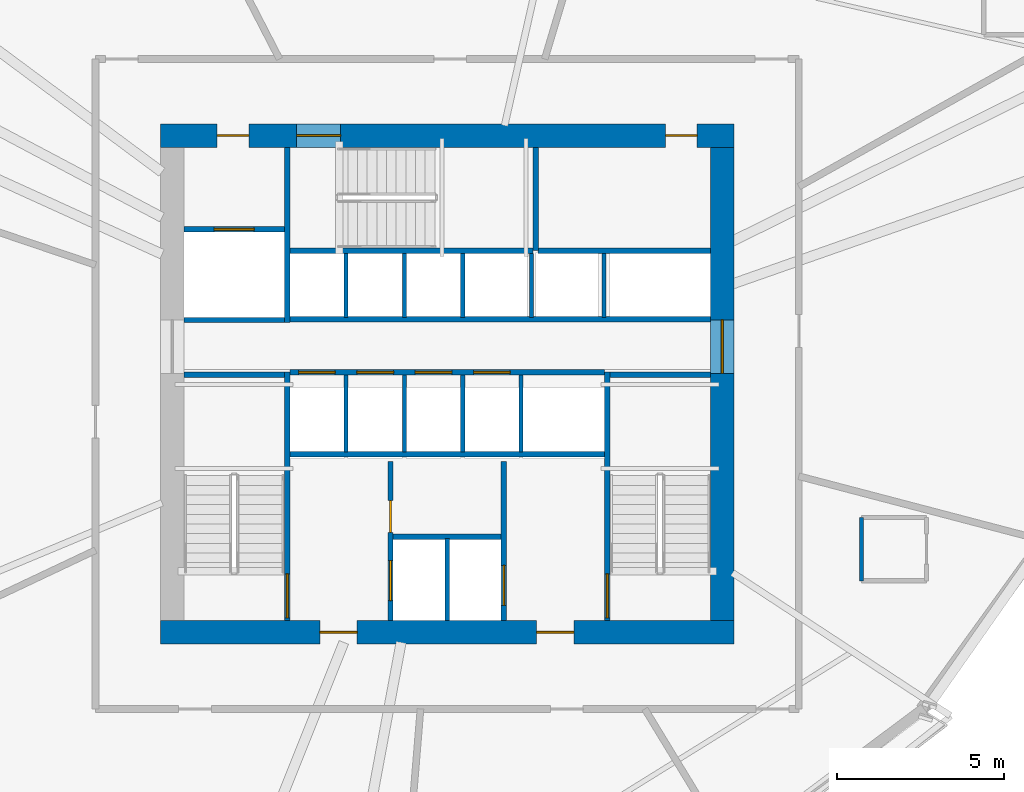
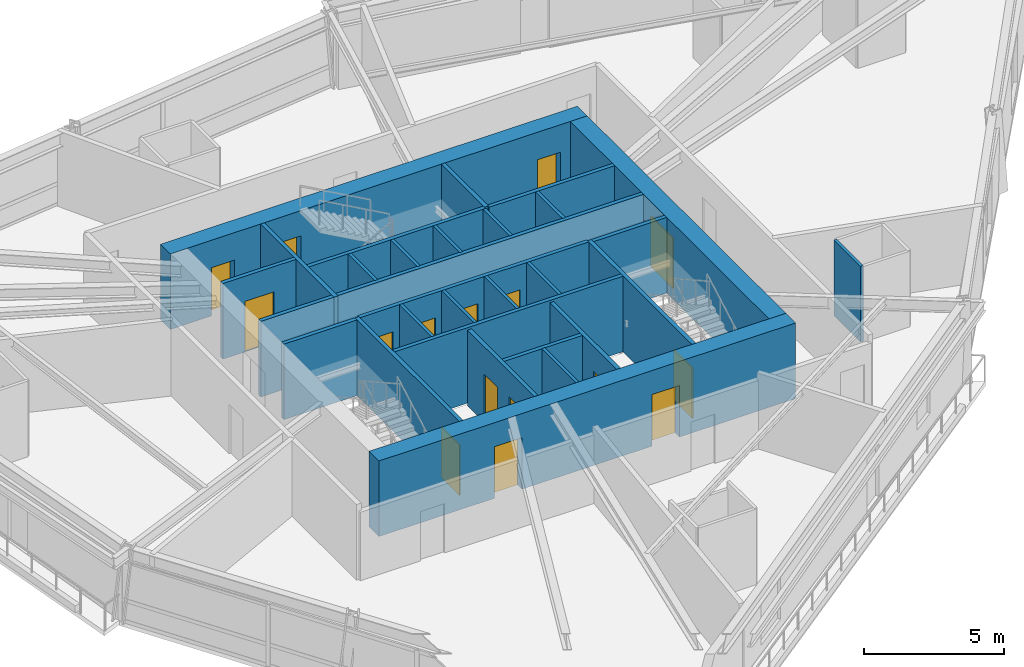
# One storey, part 13 of 18: 30 walls, 16 doors, 16 openings.
"""IFC4 building model written with IfcOpenShell, lengths in metres."""

from ifc_helpers import new_model, si_unit, direction, frame, frame_2d, origin, place, context, subcontext, project, spatial, rectangle, extrude, source, transform, mapped, material, layer, layer_set, type_object, type_shapes, element, fill, save


model = new_model("IFC4")

# Units and contexts
model_context = context("Model", 3, precision=1e-05, world=origin(), true_north=direction((0.0, 1.0)))
body_context = subcontext(model_context, "Body", "Model", "MODEL_VIEW")
ifc_project = project(units=[si_unit("LENGTHUNIT", "METRE"), si_unit("AREAUNIT", "SQUARE_METRE"), si_unit("VOLUMEUNIT", "CUBIC_METRE"), si_unit("PLANEANGLEUNIT", "RADIAN"), si_unit("MASSUNIT", "GRAM", prefix="KILO")], contexts=[model_context])

# Site, building, storey
site_placement = place(None, origin())
site = spatial("IfcSite", under=ifc_project, at=site_placement, CompositionType="ELEMENT")
building_placement = place(site_placement, origin())
building = spatial("IfcBuilding", under=site, at=building_placement, Name="Olszyna Solenne Hotel", CompositionType="ELEMENT")
storey_placement = place(building_placement, frame((0.0, 0.0, 123.449951171875)))
storey = spatial("IfcBuildingStorey", under=building, at=storey_placement, Name="L32", CompositionType="ELEMENT", Elevation=123.449951171875)

# Wall, openings, doors
ifc_material_1 = material(Name="Concrete C60/75", Category="concrete")
ifc_layer_1 = layer(ifc_material_1, 0.699951171875, Name="Concrete C60/75")
ifc_layer_set_1 = layer_set([ifc_layer_1], Name="Concrete C60/75")
wall_type_1 = type_object("IfcWallType", Name="WL-CR700", PredefinedType="SHEAR", material=ifc_layer_set_1)
wall_1_placement = place(storey_placement, frame((46.60009765625, 19.14990234375, 0.0), z_axis=(0.0, 0.0, 1.0), x_axis=(-1.0, 0.0, 0.0)))
wall_1 = element("IfcWall", 1, at=wall_1_placement, inside=storey, type_object=wall_type_1, Name="Core shear wall WL-CR700 CRW-L32-S", PredefinedType="SHEAR", context=body_context, shape_type="SweptSolid", body=[
    extrude(rectangle(XDim=17.2001953125, YDim=0.699951171875, at=frame_2d((8.60009765625, 0.0))), origin(), (0.0, 0.0, 1.0), 3.300048828125),
])
opening_1_placement = place(wall_1_placement, frame((4.800048828125, 0.0, 0.0)))
opening_1 = element("IfcOpeningElement", 2, at=opening_1_placement, cuts=wall_1, Name="Opening FL-L32-1", PredefinedType="OPENING", context=body_context, shape_type="SweptSolid", body=[
    extrude(rectangle(XDim=1.1201171875, YDim=2.25, at=frame_2d((0.56005859375, 1.125))), frame((0.0, 0.35986328125, 0.0), z_axis=(0.0, -1.0, 0.0), x_axis=(1.0, 0.0, 0.0)), (0.0, 0.0, 1.0), 0.719970703125),
])
opening_2_placement = place(wall_1_placement, frame((11.300048828125, 0.0, 0.0)))
opening_2 = element("IfcOpeningElement", 3, at=opening_2_placement, cuts=wall_1, Name="Opening FL-L32-2", PredefinedType="OPENING", context=body_context, shape_type="SweptSolid", body=[
    extrude(rectangle(XDim=1.1201171875, YDim=2.25, at=frame_2d((0.56005859375, 1.125))), frame((0.0, 0.35986328125, 0.0), z_axis=(0.0, -1.0, 0.0), x_axis=(1.0, 0.0, 0.0)), (0.0, 0.0, 1.0), 0.719970703125),
])
ifc_material_2 = material(Name="Steel S355J2", Category="steel")
door_type_1 = type_object("IfcDoorType", Name="DR-FL1", OperationType="NOTDEFINED", PredefinedType="DOOR", material=ifc_material_2)
shared_shape_1 = source(origin(), body_context, "Body", "SweptSolid", [
    extrude(rectangle(XDim=1.1201171875, YDim=2.25, at=frame_2d((0.56005859375, 1.125))), frame((0.0, 0.02490234375, 0.0), z_axis=(0.0, -1.0, 0.0), x_axis=(1.0, 0.0, 0.0)), (0.0, 0.0, 1.0), 0.050048828125),
])
type_shapes(door_type_1, [shared_shape_1])
door_1_placement = place(opening_1_placement, origin())
door_1 = element("IfcDoor", 4, at=door_1_placement, inside=storey, type_object=door_type_1, Name="Firefighting lift lobby smoke door FL-L32-1", OperationType="SINGLE_SWING_LEFT", OverallHeight=2.25, OverallWidth=1.1201171875, PredefinedType="DOOR", context=body_context, shape_type="MappedRepresentation", body=[
    mapped(shared_shape_1, transform((0.0, 0.0, 0.0), x_axis=(1.0, 0.0, 0.0), y_axis=(0.0, 1.0, 0.0), z_axis=(0.0, 0.0, 1.0), scale=1.0)),
])
fill(opening_1, door_1)
door_2_placement = place(opening_2_placement, origin())
door_2 = element("IfcDoor", 5, at=door_2_placement, inside=storey, type_object=door_type_1, Name="Firefighting lift lobby smoke door FL-L32-2", OperationType="SINGLE_SWING_RIGHT", OverallHeight=2.25, OverallWidth=1.1201171875, PredefinedType="DOOR", context=body_context, shape_type="MappedRepresentation", body=[
    mapped(shared_shape_1, transform((0.0, 0.0, 0.0), x_axis=(1.0, 0.0, 0.0), y_axis=(0.0, 1.0, 0.0), z_axis=(0.0, 0.0, 1.0), scale=1.0)),
])
fill(opening_2, door_2)

wall_2_placement = place(storey_placement, frame((29.39990234375, 34.050048828125, 0.0), z_axis=(0.0, 0.0, 1.0), x_axis=(1.0, 0.0, 0.0)))
wall_2 = element("IfcWall", 6, at=wall_2_placement, inside=storey, type_object=wall_type_1, Name="Core shear wall WL-CR700 CRW-L32-N", PredefinedType="SHEAR", context=body_context, shape_type="SweptSolid", body=[
    extrude(rectangle(XDim=17.2001953125, YDim=0.699951171875, at=frame_2d((8.60009765625, 0.0))), origin(), (0.0, 0.0, 1.0), 3.300048828125),
])
opening_3_placement = place(wall_2_placement, frame((1.699951171875, 0.0, 0.0)))
opening_3 = element("IfcOpeningElement", 7, at=opening_3_placement, cuts=wall_2, Name="Opening SVD-L32-01", PredefinedType="OPENING", context=body_context, shape_type="SweptSolid", body=[
    extrude(rectangle(XDim=0.949951171875, YDim=2.10009765625, at=frame_2d((0.47509765625, 1.050048828125))), frame((0.0, 0.35986328125, 0.0), z_axis=(0.0, -1.0, 0.0), x_axis=(1.0, 0.0, 0.0)), (0.0, 0.0, 1.0), 0.719970703125),
])
opening_4_placement = place(wall_2_placement, frame((4.080078125, 0.0, 0.0)))
opening_4 = element("IfcOpeningElement", 8, at=opening_4_placement, cuts=wall_2, Name="Opening STD-L32-03", PredefinedType="OPENING", context=body_context, shape_type="SweptSolid", body=[
    extrude(rectangle(XDim=1.320068359375, YDim=2.199951171875, at=frame_2d((0.66015625, 1.10009765625))), frame((0.0, 0.35986328125, 0.0), z_axis=(0.0, -1.0, 0.0), x_axis=(1.0, 0.0, 0.0)), (0.0, 0.0, 1.0), 0.719970703125),
])
opening_5_placement = place(wall_2_placement, frame((15.14990234375, 0.0, 0.0)))
opening_5 = element("IfcOpeningElement", 9, at=opening_5_placement, cuts=wall_2, Name="Opening SVD-L32-BN", PredefinedType="OPENING", context=body_context, shape_type="SweptSolid", body=[
    extrude(rectangle(XDim=0.949951171875, YDim=2.10009765625, at=frame_2d((0.47509765625, 1.050048828125))), frame((0.0, 0.35986328125, 0.0), z_axis=(0.0, -1.0, 0.0), x_axis=(1.0, 0.0, 0.0)), (0.0, 0.0, 1.0), 0.719970703125),
])
door_type_2 = type_object("IfcDoorType", Name="DR-ST1", OperationType="NOTDEFINED", PredefinedType="DOOR", material=ifc_material_2)
shared_shape_2 = source(origin(), body_context, "Body", "SweptSolid", [
    extrude(rectangle(XDim=1.320068359375, YDim=2.199951171875, at=frame_2d((0.66015625, 1.10009765625))), frame((0.0, 0.02490234375, 0.0), z_axis=(0.0, -1.0, 0.0), x_axis=(1.0, 0.0, 0.0)), (0.0, 0.0, 1.0), 0.050048828125),
])
type_shapes(door_type_2, [shared_shape_2])
door_3_placement = place(opening_4_placement, origin())
door_3 = element("IfcDoor", 10, at=door_3_placement, inside=storey, type_object=door_type_2, Name="Pressurised exit stair ST3 fire door STD-L32-03", OperationType="SINGLE_SWING_RIGHT", OverallHeight=2.199951171875, OverallWidth=1.320068359375, PredefinedType="DOOR", context=body_context, shape_type="MappedRepresentation", body=[
    mapped(shared_shape_2, transform((0.0, 0.0, 0.0), x_axis=(1.0, 0.0, 0.0), y_axis=(0.0, 1.0, 0.0), z_axis=(0.0, 0.0, 1.0), scale=1.0)),
])
fill(opening_4, door_3)
door_type_3 = type_object("IfcDoorType", Name="DR-SV1", OperationType="NOTDEFINED", PredefinedType="DOOR", material=ifc_material_2)
shared_shape_3 = source(origin(), body_context, "Body", "SweptSolid", [
    extrude(rectangle(XDim=0.949951171875, YDim=2.10009765625, at=frame_2d((0.47509765625, 1.050048828125))), frame((0.0, 0.02490234375, 0.0), z_axis=(0.0, -1.0, 0.0), x_axis=(1.0, 0.0, 0.0)), (0.0, 0.0, 1.0), 0.050048828125),
])
type_shapes(door_type_3, [shared_shape_3])
door_4_placement = place(opening_3_placement, origin())
door_4 = element("IfcDoor", 11, at=door_4_placement, inside=storey, type_object=door_type_3, Name="Service lift lobby fire door SVD-L32-01", OperationType="SINGLE_SWING_LEFT", OverallHeight=2.10009765625, OverallWidth=0.949951171875, PredefinedType="DOOR", context=body_context, shape_type="MappedRepresentation", body=[
    mapped(shared_shape_3, transform((0.0, 0.0, 0.0), x_axis=(1.0, 0.0, 0.0), y_axis=(0.0, 1.0, 0.0), z_axis=(0.0, 0.0, 1.0), scale=1.0)),
])
fill(opening_3, door_4)
door_5_placement = place(opening_5_placement, origin())
door_5 = element("IfcDoor", 12, at=door_5_placement, inside=storey, type_object=door_type_3, Name="Housekeeping core fire door SVD-L32-BN", OperationType="SINGLE_SWING_LEFT", OverallHeight=2.10009765625, OverallWidth=0.949951171875, PredefinedType="DOOR", context=body_context, shape_type="MappedRepresentation", body=[
    mapped(shared_shape_3, transform((0.0, 0.0, 0.0), x_axis=(1.0, 0.0, 0.0), y_axis=(0.0, 1.0, 0.0), z_axis=(0.0, 0.0, 1.0), scale=1.0)),
])
fill(opening_5, door_5)

# Wall, opening, door
wall_3_placement = place(storey_placement, frame((46.25, 33.699951171875, 0.0), z_axis=(0.0, 0.0, 1.0), x_axis=(0.0, -1.0, 0.0)))
wall_3 = element("IfcWall", 13, at=wall_3_placement, inside=storey, type_object=wall_type_1, Name="Core shear wall WL-CR700 CRW-L32-E", PredefinedType="SHEAR", context=body_context, shape_type="SweptSolid", body=[
    extrude(rectangle(XDim=14.199951171875, YDim=0.699951171875, at=frame_2d((7.10009765625, 0.0))), origin(), (0.0, 0.0, 1.0), 3.300048828125),
])
opening_6_placement = place(wall_3_placement, frame((5.179931640625, 0.0, 0.0)))
opening_6 = element("IfcOpeningElement", 14, at=opening_6_placement, cuts=wall_3, Name="Opening LHD-L32-E", PredefinedType="OPENING", context=body_context, shape_type="SweptSolid", body=[
    extrude(rectangle(XDim=1.60009765625, YDim=2.199951171875, at=frame_2d((0.800048828125, 1.10009765625))), frame((0.0, 0.35986328125, 0.0), z_axis=(0.0, -1.0, 0.0), x_axis=(1.0, 0.0, 0.0)), (0.0, 0.0, 1.0), 0.719970703125),
])
ifc_material_3 = material(Name="Timber hardwood", Category="wood")
door_type_4 = type_object("IfcDoorType", Name="DR-CR1", OperationType="DOUBLE_DOOR_SINGLE_SWING", PredefinedType="DOOR", material=ifc_material_3)
shared_shape_4 = source(origin(), body_context, "Body", "SweptSolid", [
    extrude(rectangle(XDim=1.60009765625, YDim=2.199951171875, at=frame_2d((0.800048828125, 1.10009765625))), frame((0.0, 0.02490234375, 0.0), z_axis=(0.0, -1.0, 0.0), x_axis=(1.0, 0.0, 0.0)), (0.0, 0.0, 1.0), 0.050048828125),
])
type_shapes(door_type_4, [shared_shape_4])
door_6_placement = place(opening_6_placement, origin())
door_6 = element("IfcDoor", 15, at=door_6_placement, inside=storey, type_object=door_type_4, Name="Passenger lift lobby East fire door LHD-L32-E", OperationType="DOUBLE_DOOR_SINGLE_SWING", OverallHeight=2.199951171875, OverallWidth=1.60009765625, PredefinedType="DOOR", context=body_context, shape_type="MappedRepresentation", body=[
    mapped(shared_shape_4, transform((0.0, 0.0, 0.0), x_axis=(1.0, 0.0, 0.0), y_axis=(0.0, 1.0, 0.0), z_axis=(0.0, 0.0, 1.0), scale=1.0)),
])
fill(opening_6, door_6)

# Walls
ifc_material_4 = material(Name="Acoustic gypsum partition", Category="gypsum")
ifc_layer_2 = layer(ifc_material_4, 0.125, Name="Acoustic gypsum partition")
ifc_layer_set_2 = layer_set([ifc_layer_2], Name="Acoustic gypsum partition")
wall_type_2 = type_object("IfcWallType", Name="WL-PT125", PredefinedType="PARTITIONING", material=ifc_layer_set_2)
wall_4_placement = place(storey_placement, frame((38.0, 19.5, 0.0), z_axis=(0.0, 0.0, 1.0), x_axis=(0.0, 1.0, 0.0)))
element("IfcWall", 16, at=wall_4_placement, inside=storey, type_object=wall_type_2, Name="Core shaft compartment wall CW-L32-FFM", PredefinedType="PARTITIONING", context=body_context, shape_type="SweptSolid", body=[
    extrude(rectangle(XDim=2.4599609375, YDim=0.125, at=frame_2d((1.22998046875, 0.0))), origin(), (0.0, 0.0, 1.0), 3.300048828125),
])
for number, where, z_axis, x_axis, name in (
    (17, (34.965087890625, 24.56005859375, 0.0), (0.0, 0.0, 1.0), (0.0, 1.0, 0.0), "Core shaft compartment wall CW-L32-DIVS349"),
    (18, (36.715087890625, 24.56005859375, 0.0), (0.0, 0.0, 1.0), (0.0, 1.0, 0.0), "Core shaft compartment wall CW-L32-DIVS367"),
    (19, (38.465087890625, 24.56005859375, 0.0), (0.0, 0.0, 1.0), (0.0, 1.0, 0.0), "Core shaft compartment wall CW-L32-DIVS384"),
    (20, (40.215087890625, 24.56005859375, 0.0), (0.0, 0.0, 1.0), (0.0, 1.0, 0.0), "Core shaft compartment wall CW-L32-DIVS402"),
):
    element("IfcWall", number, at=place(storey_placement, frame(where, z_axis=z_axis, x_axis=x_axis)), inside=storey, type_object=wall_type_2, Name=name, PredefinedType="PARTITIONING", context=body_context, shape_type="SweptSolid", body=[
        extrude(rectangle(XDim=2.31005859375, YDim=0.125, at=frame_2d((1.155029296875, 0.0))), origin(), (0.0, 0.0, 1.0), 3.300048828125),
    ])
for number, where, z_axis, x_axis, name in (
    (21, (34.965087890625, 28.60009765625, 0.0), (0.0, 0.0, 1.0), (0.0, 1.0, 0.0), "Core shaft compartment wall CW-L32-DIVN349"),
    (22, (36.715087890625, 28.60009765625, 0.0), (0.0, 0.0, 1.0), (0.0, 1.0, 0.0), "Core shaft compartment wall CW-L32-DIVN367"),
    (23, (38.465087890625, 28.60009765625, 0.0), (0.0, 0.0, 1.0), (0.0, 1.0, 0.0), "Core shaft compartment wall CW-L32-DIVN384"),
    (24, (40.52490234375, 28.60009765625, 0.0), (0.0, 0.0, 1.0), (0.0, 1.0, 0.0), "Core shaft compartment wall CW-L32-DIVEX405"),
    (25, (42.699951171875, 28.60009765625, 0.0), (0.0, 0.0, 1.0), (0.0, 1.0, 0.0), "Core shaft compartment wall CW-L32-DIVEX427"),
):
    element("IfcWall", number, at=place(storey_placement, frame(where, z_axis=z_axis, x_axis=x_axis)), inside=storey, type_object=wall_type_2, Name=name, PredefinedType="PARTITIONING", context=body_context, shape_type="SweptSolid", body=[
        extrude(rectangle(XDim=1.919921875, YDim=0.125, at=frame_2d((0.9599609375, 0.0))), origin(), (0.0, 0.0, 1.0), 3.300048828125),
    ])
wall_5_placement = place(storey_placement, frame((50.425048828125, 22.593994140625, 0.0), z_axis=(0.0, 0.0, 1.0), x_axis=(0.0, -1.0, 0.0)))
element("IfcWall", 26, at=wall_5_placement, inside=storey, type_object=wall_type_2, Name="Interior acoustic partition WL-PT125 PW-L32-1855", PredefinedType="PARTITIONING", context=body_context, shape_type="SweptSolid", body=[
    extrude(rectangle(XDim=1.89990234375, YDim=0.125, at=frame_2d((0.949951171875, 0.0))), origin(), (0.0, 0.0, 1.0), 3.300048828125),
])

# Wall, opening, door
ifc_layer_3 = layer(ifc_material_4, 0.159912109375, Name="Acoustic gypsum partition")
ifc_layer_set_3 = layer_set([ifc_layer_3], Name="Acoustic gypsum partition")
wall_type_3 = type_object("IfcWallType", Name="WL-PT160", PredefinedType="PARTITIONING", material=ifc_layer_set_3)
wall_6_placement = place(storey_placement, frame((33.199951171875, 19.5, 0.0), z_axis=(0.0, 0.0, 1.0), x_axis=(0.0, 1.0, 0.0)))
wall_6 = element("IfcWall", 27, at=wall_6_placement, inside=storey, type_object=wall_type_3, Name="Core shaft compartment wall CW-L32-ST1E", PredefinedType="PARTITIONING", context=body_context, shape_type="SweptSolid", body=[
    extrude(rectangle(XDim=7.4599609375, YDim=0.159912109375, at=frame_2d((3.72998046875, 0.0))), origin(), (0.0, 0.0, 1.0), 3.300048828125),
])
opening_7_placement = place(wall_6_placement, frame((0.080078125, 0.0, 0.0)))
opening_7 = element("IfcOpeningElement", 28, at=opening_7_placement, cuts=wall_6, Name="Opening STD-L32-01", PredefinedType="OPENING", context=body_context, shape_type="SweptSolid", body=[
    extrude(rectangle(XDim=1.320068359375, YDim=2.199951171875, at=frame_2d((0.66015625, 1.10009765625))), frame((0.0, 0.08984375, 0.0), z_axis=(0.0, -1.0, 0.0), x_axis=(1.0, 0.0, 0.0)), (0.0, 0.0, 1.0), 0.179931640625),
])
door_7_placement = place(opening_7_placement, origin())
door_7 = element("IfcDoor", 29, at=door_7_placement, inside=storey, type_object=door_type_2, Name="Pressurised exit stair ST1 fire door STD-L32-01", OperationType="SINGLE_SWING_LEFT", OverallHeight=2.199951171875, OverallWidth=1.320068359375, PredefinedType="DOOR", context=body_context, shape_type="MappedRepresentation", body=[
    mapped(shared_shape_2, transform((0.0, 0.0, 0.0), x_axis=(1.0, 0.0, 0.0), y_axis=(0.0, 1.0, 0.0), z_axis=(0.0, 0.0, 1.0), scale=1.0)),
])
fill(opening_7, door_7)

# Wall
wall_7_placement = place(storey_placement, frame((30.10009765625, 26.8798828125, 0.0), z_axis=(0.0, 0.0, 1.0), x_axis=(1.0, 0.0, 0.0)))
element("IfcWall", 30, at=wall_7_placement, inside=storey, type_object=wall_type_3, Name="Core shaft compartment wall CW-L32-ST1N", PredefinedType="PARTITIONING", context=body_context, shape_type="SweptSolid", body=[
    extrude(rectangle(XDim=3.02001953125, YDim=0.159912109375, at=frame_2d((1.510009765625, 0.0))), origin(), (0.0, 0.0, 1.0), 3.300048828125),
])

# Wall, opening, door
wall_8_placement = place(storey_placement, frame((42.800048828125, 26.9599609375, 0.0), z_axis=(0.0, 0.0, 1.0), x_axis=(0.0, -1.0, 0.0)))
wall_8 = element("IfcWall", 31, at=wall_8_placement, inside=storey, type_object=wall_type_3, Name="Core shaft compartment wall CW-L32-ST2W", PredefinedType="PARTITIONING", context=body_context, shape_type="SweptSolid", body=[
    extrude(rectangle(XDim=7.4599609375, YDim=0.159912109375, at=frame_2d((3.72998046875, 0.0))), origin(), (0.0, 0.0, 1.0), 3.300048828125),
])
opening_8_placement = place(wall_8_placement, frame((6.06005859375, 0.0, 0.0)))
opening_8 = element("IfcOpeningElement", 32, at=opening_8_placement, cuts=wall_8, Name="Opening STD-L32-02", PredefinedType="OPENING", context=body_context, shape_type="SweptSolid", body=[
    extrude(rectangle(XDim=1.320068359375, YDim=2.199951171875, at=frame_2d((0.66015625, 1.10009765625))), frame((0.0, 0.08984375, 0.0), z_axis=(0.0, -1.0, 0.0), x_axis=(1.0, 0.0, 0.0)), (0.0, 0.0, 1.0), 0.179931640625),
])
door_8_placement = place(opening_8_placement, origin())
door_8 = element("IfcDoor", 33, at=door_8_placement, inside=storey, type_object=door_type_2, Name="Pressurised exit stair ST2 fire door STD-L32-02", OperationType="SINGLE_SWING_RIGHT", OverallHeight=2.199951171875, OverallWidth=1.320068359375, PredefinedType="DOOR", context=body_context, shape_type="MappedRepresentation", body=[
    mapped(shared_shape_2, transform((0.0, 0.0, 0.0), x_axis=(1.0, 0.0, 0.0), y_axis=(0.0, 1.0, 0.0), z_axis=(0.0, 0.0, 1.0), scale=1.0)),
])
fill(opening_8, door_8)

# Walls
wall_9_placement = place(storey_placement, frame((42.8798828125, 26.8798828125, 0.0), z_axis=(0.0, 0.0, 1.0), x_axis=(1.0, 0.0, 0.0)))
element("IfcWall", 34, at=wall_9_placement, inside=storey, type_object=wall_type_3, Name="Core shaft compartment wall CW-L32-ST2N", PredefinedType="PARTITIONING", context=body_context, shape_type="SweptSolid", body=[
    extrude(rectangle(XDim=3.02001953125, YDim=0.159912109375, at=frame_2d((1.510009765625, 0.0))), origin(), (0.0, 0.0, 1.0), 3.300048828125),
])
wall_10_placement = place(storey_placement, frame((33.280029296875, 30.60009765625, 0.0), z_axis=(0.0, 0.0, 1.0), x_axis=(1.0, 0.0, 0.0)))
element("IfcWall", 35, at=wall_10_placement, inside=storey, type_object=wall_type_3, Name="Core shaft compartment wall CW-L32-ST3S", PredefinedType="PARTITIONING", context=body_context, shape_type="SweptSolid", body=[
    extrude(rectangle(XDim=7.300048828125, YDim=0.159912109375, at=frame_2d((3.64990234375, 0.0))), origin(), (0.0, 0.0, 1.0), 3.300048828125),
])
wall_11_placement = place(storey_placement, frame((40.659912109375, 30.60009765625, 0.0), z_axis=(0.0, 0.0, 1.0), x_axis=(0.0, 1.0, 0.0)))
element("IfcWall", 36, at=wall_11_placement, inside=storey, type_object=wall_type_3, Name="Core shaft compartment wall CW-L32-ST3E", PredefinedType="PARTITIONING", context=body_context, shape_type="SweptSolid", body=[
    extrude(rectangle(XDim=3.099853515625, YDim=0.159912109375, at=frame_2d((1.5498046875, 0.0))), origin(), (0.0, 0.0, 1.0), 3.300048828125),
])

# Wall, openings, doors
wall_12_placement = place(storey_placement, frame((36.300048828125, 19.5, 0.0), z_axis=(0.0, 0.0, 1.0), x_axis=(0.0, 1.0, 0.0)))
wall_12 = element("IfcWall", 37, at=wall_12_placement, inside=storey, type_object=wall_type_3, Name="Core shaft compartment wall CW-L32-FF1W", PredefinedType="PARTITIONING", context=body_context, shape_type="SweptSolid", body=[
    extrude(rectangle(XDim=4.780029296875, YDim=0.159912109375, at=frame_2d((2.39013671875, 0.0))), origin(), (0.0, 0.0, 1.0), 3.300048828125),
])
opening_9_placement = place(wall_12_placement, frame((0.60009765625, 0.0, 0.0)))
opening_9 = element("IfcOpeningElement", 38, at=opening_9_placement, cuts=wall_12, Name="Opening LD-L32-FF1", PredefinedType="OPENING", context=body_context, shape_type="SweptSolid", body=[
    extrude(rectangle(XDim=1.199951171875, YDim=2.199951171875, at=frame_2d((0.60009765625, 1.10009765625))), frame((0.0, 0.08984375, 0.0), z_axis=(0.0, -1.0, 0.0), x_axis=(1.0, 0.0, 0.0)), (0.0, 0.0, 1.0), 0.179931640625),
])
opening_10_placement = place(wall_12_placement, frame((2.64990234375, 0.0, 0.0)))
opening_10 = element("IfcOpeningElement", 39, at=opening_10_placement, cuts=wall_12, Name="Opening SVD-L32-SMK", PredefinedType="OPENING", context=body_context, shape_type="SweptSolid", body=[
    extrude(rectangle(XDim=0.949951171875, YDim=2.10009765625, at=frame_2d((0.47509765625, 1.050048828125))), frame((0.0, 0.08984375, 0.0), z_axis=(0.0, -1.0, 0.0), x_axis=(1.0, 0.0, 0.0)), (0.0, 0.0, 1.0), 0.179931640625),
])
door_9_placement = place(opening_10_placement, origin())
door_9 = element("IfcDoor", 40, at=door_9_placement, inside=storey, type_object=door_type_3, Name="Valet and core service room door SVD-L32-SMK", OperationType="SINGLE_SWING_LEFT", OverallHeight=2.10009765625, OverallWidth=0.949951171875, PredefinedType="DOOR", context=body_context, shape_type="MappedRepresentation", body=[
    mapped(shared_shape_3, transform((0.0, 0.0, 0.0), x_axis=(1.0, 0.0, 0.0), y_axis=(0.0, 1.0, 0.0), z_axis=(0.0, 0.0, 1.0), scale=1.0)),
])
fill(opening_10, door_9)
door_type_5 = type_object("IfcDoorType", Name="LD-FF1", OperationType="DOUBLE_DOOR_SLIDING", PredefinedType="DOOR", material=ifc_material_2)
shared_shape_5 = source(origin(), body_context, "Body", "SweptSolid", [
    extrude(rectangle(XDim=1.199951171875, YDim=2.199951171875, at=frame_2d((0.60009765625, 1.10009765625))), frame((0.0, 0.02490234375, 0.0), z_axis=(0.0, -1.0, 0.0), x_axis=(1.0, 0.0, 0.0)), (0.0, 0.0, 1.0), 0.050048828125),
])
type_shapes(door_type_5, [shared_shape_5])
door_10_placement = place(opening_9_placement, origin())
door_10 = element("IfcDoor", 41, at=door_10_placement, inside=storey, type_object=door_type_5, Name="Firefighters lift FF1 sliding landing door LD-L32-FF1", OperationType="DOUBLE_DOOR_SLIDING", OverallHeight=2.199951171875, OverallWidth=1.199951171875, PredefinedType="DOOR", context=body_context, shape_type="MappedRepresentation", body=[
    mapped(shared_shape_5, transform((0.0, 0.0, 0.0), x_axis=(1.0, 0.0, 0.0), y_axis=(0.0, 1.0, 0.0), z_axis=(0.0, 0.0, 1.0), scale=1.0)),
])
fill(opening_9, door_10)

# Wall, opening, door
wall_13_placement = place(storey_placement, frame((39.699951171875, 24.280029296875, 0.0), z_axis=(0.0, 0.0, 1.0), x_axis=(0.0, -1.0, 0.0)))
wall_13 = element("IfcWall", 42, at=wall_13_placement, inside=storey, type_object=wall_type_3, Name="Core shaft compartment wall CW-L32-FF2E", PredefinedType="PARTITIONING", context=body_context, shape_type="SweptSolid", body=[
    extrude(rectangle(XDim=4.780029296875, YDim=0.159912109375, at=frame_2d((2.39013671875, 0.0))), origin(), (0.0, 0.0, 1.0), 3.300048828125),
])
opening_11_placement = place(wall_13_placement, frame((3.1201171875, 0.0, 0.0)))
opening_11 = element("IfcOpeningElement", 43, at=opening_11_placement, cuts=wall_13, Name="Opening LD-L32-FF2", PredefinedType="OPENING", context=body_context, shape_type="SweptSolid", body=[
    extrude(rectangle(XDim=1.199951171875, YDim=2.199951171875, at=frame_2d((0.60009765625, 1.10009765625))), frame((0.0, 0.08984375, 0.0), z_axis=(0.0, -1.0, 0.0), x_axis=(1.0, 0.0, 0.0)), (0.0, 0.0, 1.0), 0.179931640625),
])
door_11_placement = place(opening_11_placement, origin())
door_11 = element("IfcDoor", 44, at=door_11_placement, inside=storey, type_object=door_type_5, Name="Firefighters lift FF2 sliding landing door LD-L32-FF2", OperationType="DOUBLE_DOOR_SLIDING", OverallHeight=2.199951171875, OverallWidth=1.199951171875, PredefinedType="DOOR", context=body_context, shape_type="MappedRepresentation", body=[
    mapped(shared_shape_5, transform((0.0, 0.0, 0.0), x_axis=(1.0, 0.0, 0.0), y_axis=(0.0, 1.0, 0.0), z_axis=(0.0, 0.0, 1.0), scale=1.0)),
])
fill(opening_11, door_11)

# Walls
wall_14_placement = place(storey_placement, frame((36.3798828125, 22.02001953125, 0.0), z_axis=(0.0, 0.0, 1.0), x_axis=(1.0, 0.0, 0.0)))
element("IfcWall", 45, at=wall_14_placement, inside=storey, type_object=wall_type_3, Name="Core shaft compartment wall CW-L32-FFN", PredefinedType="PARTITIONING", context=body_context, shape_type="SweptSolid", body=[
    extrude(rectangle(XDim=3.240234375, YDim=0.159912109375, at=frame_2d((1.6201171875, 0.0))), origin(), (0.0, 0.0, 1.0), 3.300048828125),
])
wall_15_placement = place(storey_placement, frame((33.280029296875, 24.489990234375, 0.0), z_axis=(0.0, 0.0, 1.0), x_axis=(1.0, 0.0, 0.0)))
element("IfcWall", 46, at=wall_15_placement, inside=storey, type_object=wall_type_3, Name="Core shaft compartment wall CW-L32-FFBN", PredefinedType="PARTITIONING", context=body_context, shape_type="SweptSolid", body=[
    extrude(rectangle(XDim=9.43994140625, YDim=0.159912109375, at=frame_2d((4.719970703125, 0.0))), origin(), (0.0, 0.0, 1.0), 3.300048828125),
])
wall_16_placement = place(storey_placement, frame((30.10009765625, 28.52001953125, 0.0), z_axis=(0.0, 0.0, 1.0), x_axis=(1.0, 0.0, 0.0)))
element("IfcWall", 47, at=wall_16_placement, inside=storey, type_object=wall_type_3, Name="Core shaft compartment wall CW-L32-SV1S", PredefinedType="PARTITIONING", context=body_context, shape_type="SweptSolid", body=[
    extrude(rectangle(XDim=3.02001953125, YDim=0.159912109375, at=frame_2d((1.510009765625, 0.0))), origin(), (0.0, 0.0, 1.0), 3.300048828125),
])
wall_17_placement = place(storey_placement, frame((33.199951171875, 28.43994140625, 0.0), z_axis=(0.0, 0.0, 1.0), x_axis=(0.0, 1.0, 0.0)))
element("IfcWall", 48, at=wall_17_placement, inside=storey, type_object=wall_type_3, Name="Core shaft compartment wall CW-L32-SV1E", PredefinedType="PARTITIONING", context=body_context, shape_type="SweptSolid", body=[
    extrude(rectangle(XDim=5.260009765625, YDim=0.159912109375, at=frame_2d((2.6298828125, 0.0))), origin(), (0.0, 0.0, 1.0), 3.300048828125),
])

# Wall, opening, door
wall_18_placement = place(storey_placement, frame((30.10009765625, 31.239990234375, 0.0), z_axis=(0.0, 0.0, 1.0), x_axis=(1.0, 0.0, 0.0)))
wall_18 = element("IfcWall", 49, at=wall_18_placement, inside=storey, type_object=wall_type_3, Name="Core shaft compartment wall CW-L32-SV1N", PredefinedType="PARTITIONING", context=body_context, shape_type="SweptSolid", body=[
    extrude(rectangle(XDim=3.02001953125, YDim=0.159912109375, at=frame_2d((1.510009765625, 0.0))), origin(), (0.0, 0.0, 1.0), 3.300048828125),
])
opening_12_placement = place(wall_18_placement, frame((0.909912109375, 0.0, 0.0)))
opening_12 = element("IfcOpeningElement", 50, at=opening_12_placement, cuts=wall_18, Name="Opening LD-L32-SV1", PredefinedType="OPENING", context=body_context, shape_type="SweptSolid", body=[
    extrude(rectangle(XDim=1.199951171875, YDim=2.199951171875, at=frame_2d((0.60009765625, 1.10009765625))), frame((0.0, 0.08984375, 0.0), z_axis=(0.0, -1.0, 0.0), x_axis=(1.0, 0.0, 0.0)), (0.0, 0.0, 1.0), 0.179931640625),
])
door_12_placement = place(opening_12_placement, origin())
door_12 = element("IfcDoor", 51, at=door_12_placement, inside=storey, type_object=door_type_5, Name="Service lift SV1 sliding landing door LD-L32-SV1", OperationType="DOUBLE_DOOR_SLIDING", OverallHeight=2.199951171875, OverallWidth=1.199951171875, PredefinedType="DOOR", context=body_context, shape_type="MappedRepresentation", body=[
    mapped(shared_shape_5, transform((0.0, 0.0, 0.0), x_axis=(1.0, 0.0, 0.0), y_axis=(0.0, 1.0, 0.0), z_axis=(0.0, 0.0, 1.0), scale=1.0)),
])
fill(opening_12, door_12)

# Wall, openings, doors
wall_19_placement = place(storey_placement, frame((33.280029296875, 26.949951171875, 0.0), z_axis=(0.0, 0.0, 1.0), x_axis=(1.0, 0.0, 0.0)))
wall_19 = element("IfcWall", 52, at=wall_19_placement, inside=storey, type_object=wall_type_3, Name="Core shaft compartment wall CW-L32-LRS", PredefinedType="PARTITIONING", context=body_context, shape_type="SweptSolid", body=[
    extrude(rectangle(XDim=9.43994140625, YDim=0.159912109375, at=frame_2d((4.719970703125, 0.0))), origin(), (0.0, 0.0, 1.0), 3.300048828125),
])
opening_13_placement = place(wall_19_placement, frame((0.260009765625, 0.0, 0.0)))
opening_13 = element("IfcOpeningElement", 53, at=opening_13_placement, cuts=wall_19, Name="Opening LD-L32-PL1", PredefinedType="OPENING", context=body_context, shape_type="SweptSolid", body=[
    extrude(rectangle(XDim=1.10009765625, YDim=2.199951171875, at=frame_2d((0.550048828125, 1.10009765625))), frame((0.0, 0.08984375, 0.0), z_axis=(0.0, -1.0, 0.0), x_axis=(1.0, 0.0, 0.0)), (0.0, 0.0, 1.0), 0.179931640625),
])
opening_14_placement = place(wall_19_placement, frame((2.010009765625, 0.0, 0.0)))
opening_14 = element("IfcOpeningElement", 54, at=opening_14_placement, cuts=wall_19, Name="Opening LD-L32-PL2", PredefinedType="OPENING", context=body_context, shape_type="SweptSolid", body=[
    extrude(rectangle(XDim=1.10009765625, YDim=2.199951171875, at=frame_2d((0.550048828125, 1.10009765625))), frame((0.0, 0.08984375, 0.0), z_axis=(0.0, -1.0, 0.0), x_axis=(1.0, 0.0, 0.0)), (0.0, 0.0, 1.0), 0.179931640625),
])
opening_15_placement = place(wall_19_placement, frame((3.760009765625, 0.0, 0.0)))
opening_15 = element("IfcOpeningElement", 55, at=opening_15_placement, cuts=wall_19, Name="Opening LD-L32-PL3", PredefinedType="OPENING", context=body_context, shape_type="SweptSolid", body=[
    extrude(rectangle(XDim=1.10009765625, YDim=2.199951171875, at=frame_2d((0.550048828125, 1.10009765625))), frame((0.0, 0.08984375, 0.0), z_axis=(0.0, -1.0, 0.0), x_axis=(1.0, 0.0, 0.0)), (0.0, 0.0, 1.0), 0.179931640625),
])
opening_16_placement = place(wall_19_placement, frame((5.510009765625, 0.0, 0.0)))
opening_16 = element("IfcOpeningElement", 56, at=opening_16_placement, cuts=wall_19, Name="Opening LD-L32-PL4", PredefinedType="OPENING", context=body_context, shape_type="SweptSolid", body=[
    extrude(rectangle(XDim=1.10009765625, YDim=2.199951171875, at=frame_2d((0.550048828125, 1.10009765625))), frame((0.0, 0.08984375, 0.0), z_axis=(0.0, -1.0, 0.0), x_axis=(1.0, 0.0, 0.0)), (0.0, 0.0, 1.0), 0.179931640625),
])
door_type_6 = type_object("IfcDoorType", Name="LD-P1", OperationType="DOUBLE_DOOR_SLIDING", PredefinedType="DOOR", material=ifc_material_2)
shared_shape_6 = source(origin(), body_context, "Body", "SweptSolid", [
    extrude(rectangle(XDim=1.10009765625, YDim=2.199951171875, at=frame_2d((0.550048828125, 1.10009765625))), frame((0.0, 0.02490234375, 0.0), z_axis=(0.0, -1.0, 0.0), x_axis=(1.0, 0.0, 0.0)), (0.0, 0.0, 1.0), 0.050048828125),
])
type_shapes(door_type_6, [shared_shape_6])
door_13_placement = place(opening_13_placement, origin())
door_13 = element("IfcDoor", 57, at=door_13_placement, inside=storey, type_object=door_type_6, Name="Passenger lift PL1 sliding landing door LD-L32-PL1", OperationType="DOUBLE_DOOR_SLIDING", OverallHeight=2.199951171875, OverallWidth=1.10009765625, PredefinedType="DOOR", context=body_context, shape_type="MappedRepresentation", body=[
    mapped(shared_shape_6, transform((0.0, 0.0, 0.0), x_axis=(1.0, 0.0, 0.0), y_axis=(0.0, 1.0, 0.0), z_axis=(0.0, 0.0, 1.0), scale=1.0)),
])
fill(opening_13, door_13)
door_14_placement = place(opening_14_placement, origin())
door_14 = element("IfcDoor", 58, at=door_14_placement, inside=storey, type_object=door_type_6, Name="Passenger lift PL2 sliding landing door LD-L32-PL2", OperationType="DOUBLE_DOOR_SLIDING", OverallHeight=2.199951171875, OverallWidth=1.10009765625, PredefinedType="DOOR", context=body_context, shape_type="MappedRepresentation", body=[
    mapped(shared_shape_6, transform((0.0, 0.0, 0.0), x_axis=(1.0, 0.0, 0.0), y_axis=(0.0, 1.0, 0.0), z_axis=(0.0, 0.0, 1.0), scale=1.0)),
])
fill(opening_14, door_14)
door_15_placement = place(opening_15_placement, origin())
door_15 = element("IfcDoor", 59, at=door_15_placement, inside=storey, type_object=door_type_6, Name="Passenger lift PL3 sliding landing door LD-L32-PL3", OperationType="DOUBLE_DOOR_SLIDING", OverallHeight=2.199951171875, OverallWidth=1.10009765625, PredefinedType="DOOR", context=body_context, shape_type="MappedRepresentation", body=[
    mapped(shared_shape_6, transform((0.0, 0.0, 0.0), x_axis=(1.0, 0.0, 0.0), y_axis=(0.0, 1.0, 0.0), z_axis=(0.0, 0.0, 1.0), scale=1.0)),
])
fill(opening_15, door_15)
door_16_placement = place(opening_16_placement, origin())
door_16 = element("IfcDoor", 60, at=door_16_placement, inside=storey, type_object=door_type_6, Name="Passenger lift PL4 sliding landing door LD-L32-PL4", OperationType="DOUBLE_DOOR_SLIDING", OverallHeight=2.199951171875, OverallWidth=1.10009765625, PredefinedType="DOOR", context=body_context, shape_type="MappedRepresentation", body=[
    mapped(shared_shape_6, transform((0.0, 0.0, 0.0), x_axis=(1.0, 0.0, 0.0), y_axis=(0.0, 1.0, 0.0), z_axis=(0.0, 0.0, 1.0), scale=1.0)),
])
fill(opening_16, door_16)

# Walls
wall_20_placement = place(storey_placement, frame((33.280029296875, 28.5400390625, 0.0), z_axis=(0.0, 0.0, 1.0), x_axis=(1.0, 0.0, 0.0)))
element("IfcWall", 61, at=wall_20_placement, inside=storey, type_object=wall_type_3, Name="Core shaft compartment wall CW-L32-LRN", PredefinedType="PARTITIONING", context=body_context, shape_type="SweptSolid", body=[
    extrude(rectangle(XDim=12.619873046875, YDim=0.159912109375, at=frame_2d((6.31005859375, 0.0))), origin(), (0.0, 0.0, 1.0), 3.300048828125),
])
wall_21_placement = place(storey_placement, frame((40.719970703125, 30.60009765625, 0.0), z_axis=(0.0, 0.0, 1.0), x_axis=(1.0, 0.0, 0.0)))
element("IfcWall", 62, at=wall_21_placement, inside=storey, type_object=wall_type_3, Name="Core shaft compartment wall CW-L32-LRNTOP", PredefinedType="PARTITIONING", context=body_context, shape_type="SweptSolid", body=[
    extrude(rectangle(XDim=5.179931640625, YDim=0.159912109375, at=frame_2d((2.58984375, 0.0))), origin(), (0.0, 0.0, 1.0), 3.300048828125),
])

save(model, "model.ifc")
